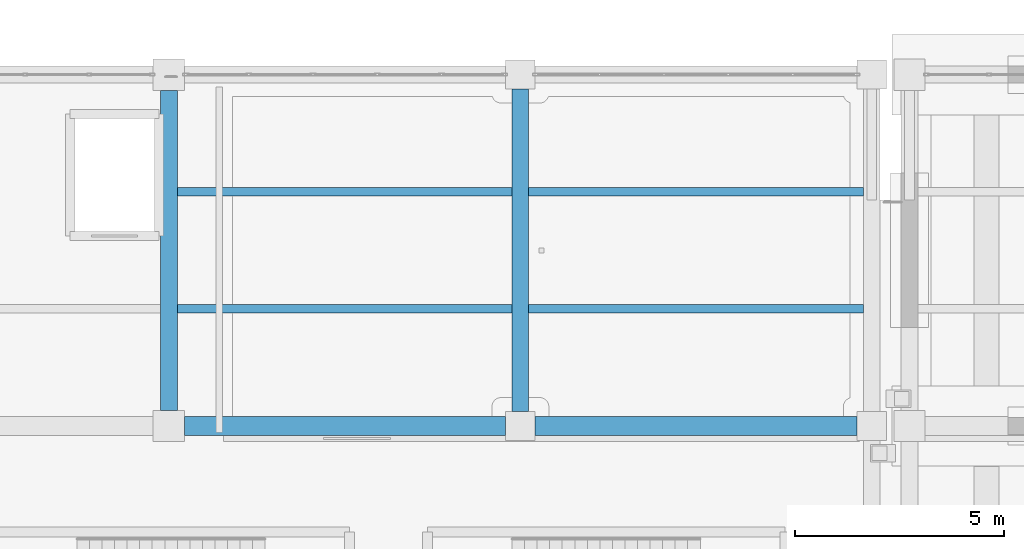
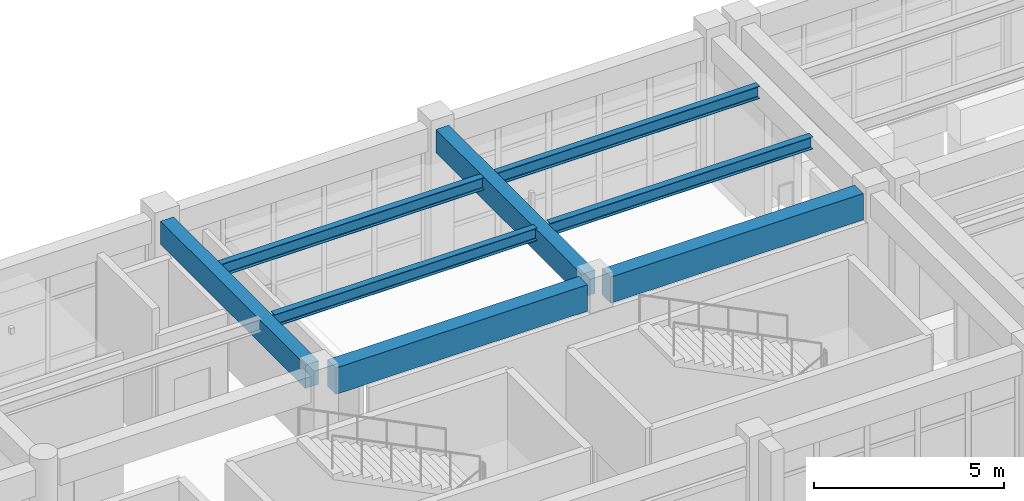
# One storey, part 17 of 111: 8 beams.
"""IFC4 building model written with IfcOpenShell, lengths in metres."""

import ifcopenshell
import ifcopenshell.guid

model = None  # the IFC model being written
_history = None  # IfcOwnerHistory: only IFC2X3 demands one
_inside = {}  # id of a spatial element -> (the spatial element, [elements in it])
_under = {}  # id of a project, library or spatial element -> (it, [spatial elements below it])
_declared = {}  # id of a project -> (the project, [libraries it declares])
_typed = {}  # id of a type object -> (the type object, [elements of that type])
_made_of = {}  # id of a material, layer set ... -> (it, [elements and type objects made of it])


def new_model(schema):
    """Start an empty IFC model of exactly this schema.

    Asked for "IFC4X3", IfcOpenShell would pick the latest addendum, in which some entities
    have other attributes; the version numbers below select the first issue.
    IFC2X3 requires an IfcOwnerHistory on every rooted entity: one is made here for all.
    """
    global model, _history
    if schema == "IFC4X3":
        model = ifcopenshell.file(schema_version=(4, 3, 0, 0))
    else:
        model = ifcopenshell.file(schema=schema)
    _inside.clear()
    _under.clear()
    _declared.clear()
    _typed.clear()
    _made_of.clear()
    _history = None
    if model.schema == "IFC2X3":
        org = make("IfcOrganization", Name="unknown")
        user = make(
            "IfcPersonAndOrganization",
            ThePerson=make("IfcPerson", FamilyName="unknown"),
            TheOrganization=org,
        )
        app = make(
            "IfcApplication",
            ApplicationDeveloper=org,
            Version="unknown",
            ApplicationFullName="unknown",
            ApplicationIdentifier="unknown",
        )
        _history = make(
            "IfcOwnerHistory",
            OwningUser=user,
            OwningApplication=app,
            ChangeAction="ADDED",
            CreationDate=0,
        )
    return model


def make(cls, **values):
    """One entity of the class cls with the attributes given. An attribute that is None is left unset."""
    return model.create_entity(
        cls, **{name: value for name, value in values.items() if value is not None}
    )


def rooted(cls, **values):
    """An entity with a GlobalId (a new one), such as an element, a storey or a relation."""
    return make(cls, GlobalId=ifcopenshell.guid.new(), OwnerHistory=_history, **values)


def si_unit(unit_type, name, prefix=None):
    """IfcSIUnit, for example si_unit("LENGTHUNIT", "METRE", prefix="MILLI")."""
    return make("IfcSIUnit", UnitType=unit_type, Prefix=prefix, Name=name)


def assignment(units):
    """IfcUnitAssignment: the units of a project."""
    return None if units is None else make("IfcUnitAssignment", Units=units)


def point(xyz):
    """IfcCartesianPoint."""
    return None if xyz is None else make("IfcCartesianPoint", Coordinates=xyz)


def direction(xyz):
    """IfcDirection."""
    return None if xyz is None else make("IfcDirection", DirectionRatios=xyz)


def frame(location, z_axis=None, x_axis=None):
    """IfcAxis2Placement3D, a coordinate frame: its origin and axes. An axis left out is left unset."""
    return make(
        "IfcAxis2Placement3D",
        Location=point(location),
        Axis=direction(z_axis),
        RefDirection=direction(x_axis),
    )


def frame_2d(location, x_axis=None):
    """IfcAxis2Placement2D, a coordinate frame in the plane: its origin and x axis."""
    return make(
        "IfcAxis2Placement2D", Location=point(location), RefDirection=direction(x_axis)
    )


def origin():
    """The frame at (0, 0, 0) with its axes left unset."""
    return frame((0.0, 0.0, 0.0))


def origin_2d():
    """The frame at (0, 0) in the plane with its x axis left unset."""
    return frame_2d((0.0, 0.0))


def place(relative_to, where):
    """IfcLocalPlacement: puts the frame where relative to a parent placement (None: the world)."""
    return make(
        "IfcLocalPlacement", PlacementRelTo=relative_to, RelativePlacement=where
    )


def context(
    kind, dimensions, precision=None, world=None, true_north=None, identifier=None
):
    """IfcGeometricRepresentationContext, for example the 3D "Model" context."""
    return make(
        "IfcGeometricRepresentationContext",
        ContextIdentifier=identifier,
        ContextType=kind,
        CoordinateSpaceDimension=dimensions,
        Precision=precision,
        WorldCoordinateSystem=world,
        TrueNorth=true_north,
    )


def subcontext(parent, identifier, kind, view, scale=None):
    """IfcGeometricRepresentationSubContext, for example "Body" below "Model"."""
    return make(
        "IfcGeometricRepresentationSubContext",
        ContextIdentifier=identifier,
        ContextType=kind,
        ParentContext=parent,
        TargetScale=scale,
        TargetView=view,
    )


def project(units=None, contexts=None):
    """IfcProject with its units and contexts."""
    return rooted(
        "IfcProject",
        Name="project",
        RepresentationContexts=contexts,
        UnitsInContext=assignment(units),
    )


def spatial(cls, under=None, at=None, **own):
    """A site, building, storey or space (cls), placed at a placement, below another one or the project."""
    s = rooted(cls, ObjectPlacement=at, **own)
    if under is not None:
        _under.setdefault(under.id(), (under, []))[1].append(s)
    return s


def profile(cls, at=None, kind="AREA", **sizes):
    """A parametric profile (cls). Its sizes go by their IFC names, for example OverallWidth=200.0."""
    return make(cls, ProfileType=kind, Position=at, **sizes)


def rectangle(**sizes):
    """IfcRectangleProfileDef."""
    return profile("IfcRectangleProfileDef", **sizes)


def i_section(**sizes):
    """IfcIShapeProfileDef."""
    return profile("IfcIShapeProfileDef", **sizes)


def extrude(swept, where, along, depth):
    """IfcExtrudedAreaSolid: the profile swept, set in the frame where, extruded along a direction by depth."""
    return make(
        "IfcExtrudedAreaSolid",
        SweptArea=swept,
        Position=where,
        ExtrudedDirection=direction(along),
        Depth=depth,
    )


def shape(context_of_items, identifier, shape_type, items):
    """IfcShapeRepresentation: the items that make up one representation, for example the "Body"."""
    return make(
        "IfcShapeRepresentation",
        ContextOfItems=context_of_items,
        RepresentationIdentifier=identifier,
        RepresentationType=shape_type,
        Items=items,
    )


def material(Name=None, Category=None):
    """IfcMaterial."""
    return make("IfcMaterial", Name=Name, Category=Category)


def material_profile(
    of_material, cross_section, Name=None, Category=None, Priority=None
):
    """IfcMaterialProfile: a cross section and its material."""
    return make(
        "IfcMaterialProfile",
        Name=Name,
        Material=of_material,
        Profile=cross_section,
        Priority=Priority,
        Category=Category,
    )


def profile_set(profiles, Name=None, composite=None):
    """IfcMaterialProfileSet."""
    return make(
        "IfcMaterialProfileSet",
        Name=Name,
        MaterialProfiles=profiles,
        CompositeProfile=composite,
    )


def made_of(thing, what):
    """Note that an element or type object is made of a material, layer set ...; save() writes the relation."""
    if what is not None:
        _made_of.setdefault(what.id(), (what, []))[1].append(thing)
    return thing


def type_object(cls, material=None, **own):
    """A type object (cls), such as IfcWallType, which elements share."""
    return made_of(rooted(cls, **own), material)


def element(
    cls,
    number,
    at=None,
    inside=None,
    cuts=None,
    type_object=None,
    material=None,
    context=None,
    identifier="Body",
    shape_type=None,
    held_by="IfcProductDefinitionShape",
    body=None,
    shapes=None,
    **own,
):
    """One element of the class cls, such as IfcWall. Its Tag is "e" and its number.

    at: its placement. inside: the storey or other place that contains it. cuts: it is an
    opening in that element (IfcRelVoidsElement). A single representation is given by context,
    identifier, shape_type and body (its items); several are given by shapes. held_by: the class
    of the entity that holds the representations. save() writes the other relations.
    """
    e = rooted(cls, Tag="e%d" % number, ObjectPlacement=at, **own)
    if body is not None:
        shapes = [shape(context, identifier, shape_type, body)]
    if shapes is not None:
        e.Representation = make(held_by, Representations=shapes)
    if inside is not None:
        _inside.setdefault(inside.id(), (inside, []))[1].append(e)
    if cuts is not None:
        rooted(
            "IfcRelVoidsElement", RelatingBuildingElement=cuts, RelatedOpeningElement=e
        )
    if type_object is not None:
        _typed.setdefault(type_object.id(), (type_object, []))[1].append(e)
    return made_of(e, material)


def aggregate(whole, parts):
    """IfcRelAggregates: a whole, such as a stair, and the parts it consists of."""
    return rooted("IfcRelAggregates", RelatingObject=whole, RelatedObjects=parts)


def save(model, path):
    """Write the relations noted so far, then the file.

    IfcRelAggregates (storeys below a building ...), IfcRelContainedInSpatialStructure (elements
    in a storey), IfcRelDefinesByType, IfcRelAssociatesMaterial and IfcRelDeclares: one each for
    every whole, place, type object, material and project.
    """
    for whole, parts in _under.values():
        aggregate(whole, parts)
    for where, things in _inside.values():
        rooted(
            "IfcRelContainedInSpatialStructure",
            RelatedElements=things,
            RelatingStructure=where,
        )
    for kind, things in _typed.values():
        rooted("IfcRelDefinesByType", RelatedObjects=things, RelatingType=kind)
    for what, things in _made_of.values():
        rooted("IfcRelAssociatesMaterial", RelatedObjects=things, RelatingMaterial=what)
    for by, libraries in _declared.values():
        rooted("IfcRelDeclares", RelatingContext=by, RelatedDefinitions=libraries)
    model.write(path)


model = new_model("IFC4")

# Units and contexts
model_context = context("Model", 3, precision=1e-05, world=origin(), true_north=direction((0.0, 1.0)))
body_context = subcontext(model_context, "Body", "Model", "MODEL_VIEW")
ifc_project = project(units=[si_unit("LENGTHUNIT", "METRE"), si_unit("AREAUNIT", "SQUARE_METRE"), si_unit("VOLUMEUNIT", "CUBIC_METRE"), si_unit("PLANEANGLEUNIT", "RADIAN"), si_unit("MASSUNIT", "GRAM", prefix="KILO")], contexts=[model_context])

# Site, building, storey
site_placement = place(None, origin())
site = spatial("IfcSite", under=ifc_project, at=site_placement, CompositionType="ELEMENT")
building_placement = place(site_placement, origin())
building = spatial("IfcBuilding", under=site, at=building_placement, Name="Canglan Escarpment Cableway Terminal", CompositionType="ELEMENT")
storey_placement = place(building_placement, frame((0.0, 0.0, 4.800048828125)))
storey = spatial("IfcBuildingStorey", under=building, at=storey_placement, Name="L01", CompositionType="ELEMENT", Elevation=4.800048828125)

# Beams
ifc_material_1 = material(Name="Concrete C40", Category="concrete")
ifc_material_profile_1 = material_profile(ifc_material_1, rectangle(XDim=0.39990234375, YDim=0.75, at=origin_2d()), Name="RC 400x750")
ifc_profile_set_1 = profile_set([ifc_material_profile_1], Name="Concrete C40")
beam_type_1 = type_object("IfcBeamType", Name="BM-RC400x750", PredefinedType="BEAM", material=ifc_profile_set_1)
beam_1_placement = place(storey_placement, frame((59.300048828125, 16.77490234375, 4.10498046875), z_axis=(0.0, 1.0, 0.0), x_axis=(-1.0, 0.0, 0.0)))
element("IfcBeam", 1, at=beam_1_placement, inside=storey, type_object=beam_type_1, Name="Primary transverse girder B-03", PredefinedType="BEAM", context=body_context, shape_type="SweptSolid", body=[
    extrude(rectangle(XDim=0.39990234375, YDim=0.75, at=origin_2d()), origin(), (0.0, 0.0, 1.0), 7.650146484375),
])
beam_2_placement = place(storey_placement, frame((67.699951171875, 16.75, 4.10498046875), z_axis=(0.0, 1.0, 0.0), x_axis=(-1.0, 0.0, 0.0)))
element("IfcBeam", 2, at=beam_2_placement, inside=storey, type_object=beam_type_1, Name="Primary transverse girder B-03", PredefinedType="BEAM", context=body_context, shape_type="SweptSolid", body=[
    extrude(rectangle(XDim=0.39990234375, YDim=0.75, at=origin_2d()), origin(), (0.0, 0.0, 1.0), 7.699951171875),
])
ifc_material_profile_2 = material_profile(ifc_material_1, rectangle(XDim=0.449951171875, YDim=0.85009765625, at=origin_2d()), Name="RC 450x850")
ifc_profile_set_2 = profile_set([ifc_material_profile_2], Name="Concrete C40")
beam_type_2 = type_object("IfcBeamType", Name="BM-RC450x850", PredefinedType="BEAM", material=ifc_profile_set_2)
beam_3_placement = place(storey_placement, frame((59.675048828125, 16.39990234375, 4.125), z_axis=(1.0, 0.0, 0.0), x_axis=(0.0, 1.0, 0.0)))
element("IfcBeam", 3, at=beam_3_placement, inside=storey, type_object=beam_type_2, Name="Primary structural girder B-02", PredefinedType="BEAM", context=body_context, shape_type="SweptSolid", body=[
    extrude(rectangle(XDim=0.449951171875, YDim=0.85009765625, at=origin_2d()), origin(), (0.0, 0.0, 1.0), 7.675048828125),
])
beam_4_placement = place(storey_placement, frame((68.050048828125, 16.39990234375, 4.125), z_axis=(1.0, 0.0, 0.0), x_axis=(0.0, 1.0, 0.0)))
element("IfcBeam", 4, at=beam_4_placement, inside=storey, type_object=beam_type_2, Name="Primary structural girder B-02", PredefinedType="BEAM", context=body_context, shape_type="SweptSolid", body=[
    extrude(rectangle(XDim=0.449951171875, YDim=0.85009765625, at=origin_2d()), origin(), (0.0, 0.0, 1.0), 7.699951171875),
])
ifc_material_2 = material(Name="Steel Q355B", Category="steel")
ifc_material_profile_3 = material_profile(ifc_material_2, i_section(OverallWidth=0.199951171875, OverallDepth=0.39990234375, WebThickness=0.008056640625, FlangeThickness=0.012939453125, FilletRadius=0.01611328125, at=origin_2d()), Name="HN 400x200x8x13")
ifc_profile_set_3 = profile_set([ifc_material_profile_3], Name="Steel Q355B")
beam_type_3 = type_object("IfcBeamType", Name="JS-HN400", PredefinedType="JOIST", material=ifc_profile_set_3)
for number, where, z_axis, x_axis, name in (
    (5, (59.5, 19.199951171875, 4.349853515625), (1.0, 0.0, 0.0), (0.0, 1.0, 0.0), "Secondary composite deck joist J-03"),
    (6, (59.5, 22.0, 4.280029296875), (1.0, 0.0, 0.0), (0.0, 1.0, 0.0), "Secondary composite deck joist J-03"),
    (7, (67.89990234375, 19.199951171875, 4.349853515625), (1.0, 0.0, 0.0), (0.0, 1.0, 0.0), "Secondary composite deck joist J-03"),
    (8, (67.89990234375, 22.0, 4.280029296875), (1.0, 0.0, 0.0), (0.0, 1.0, 0.0), "Secondary composite deck joist J-03"),
):
    element("IfcBeam", number, at=place(storey_placement, frame(where, z_axis=z_axis, x_axis=x_axis)), inside=storey, type_object=beam_type_3, Name=name, PredefinedType="JOIST", context=body_context, shape_type="SweptSolid", body=[
        extrude(i_section(OverallWidth=0.199951171875, OverallDepth=0.39990234375, WebThickness=0.008056640625, FlangeThickness=0.012939453125, FilletRadius=0.01611328125, at=origin_2d()), origin(), (0.0, 0.0, 1.0), 8.0),
    ])

save(model, "model.ifc")
